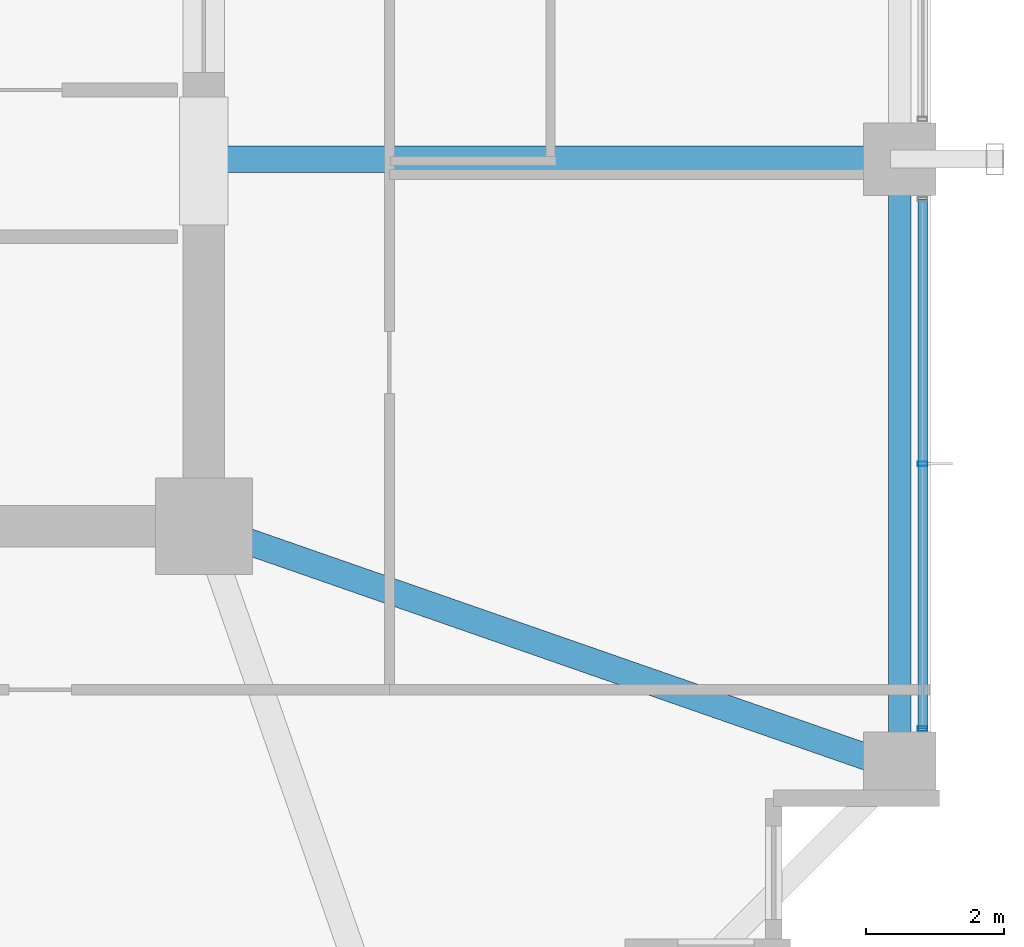
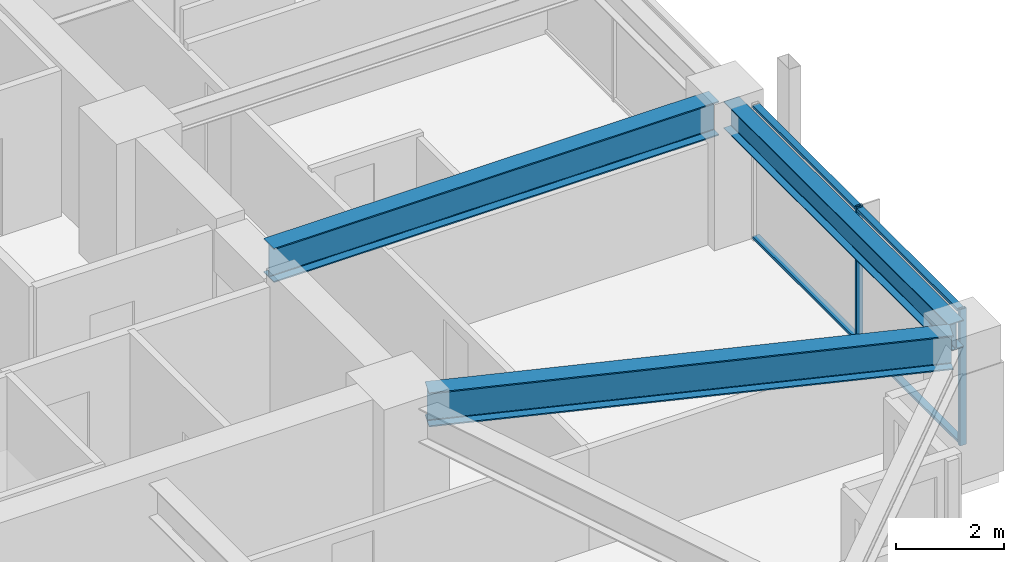
# One storey, part 14 of 38: 4 members, 3 beams, 1 element without a shape of its own.
"""IFC4 building model written with IfcOpenShell, lengths in metres."""

from ifc_helpers import new_model, si_unit, direction, frame, origin, origin_2d, place, context, subcontext, project, spatial, hollow_rectangle, i_section, extrude, material, material_profile, profile_set, type_object, element, aggregate, save


model = new_model("IFC4")

# Units and contexts
model_context = context("Model", 3, precision=1e-05, world=origin(), true_north=direction((0.0, 1.0)))
body_context = subcontext(model_context, "Body", "Model", "MODEL_VIEW")
ifc_project = project(units=[si_unit("LENGTHUNIT", "METRE"), si_unit("AREAUNIT", "SQUARE_METRE"), si_unit("VOLUMEUNIT", "CUBIC_METRE"), si_unit("PLANEANGLEUNIT", "RADIAN"), si_unit("MASSUNIT", "GRAM", prefix="KILO")], contexts=[model_context])

# Site, building, storey
site_placement = place(None, origin())
site = spatial("IfcSite", under=ifc_project, at=site_placement, CompositionType="ELEMENT")
building_placement = place(site_placement, origin())
building = spatial("IfcBuilding", under=site, at=building_placement, Name="Kolvaren Belvedere", CompositionType="ELEMENT")
storey_placement = place(building_placement, frame((0.0, 0.0, 78.800048828125)))
storey = spatial("IfcBuildingStorey", under=building, at=storey_placement, Name="L22", CompositionType="ELEMENT", Elevation=78.800048828125)

# Beams
ifc_material_1 = material(Name="Structural steel ASTM A992 Grade 50", Category="steel")
ifc_material_profile_1 = material_profile(ifc_material_1, i_section(OverallWidth=0.381103515625, OverallDepth=0.77294921875, WebThickness=0.0166015625, FlangeThickness=0.027099609375, FilletRadius=0.02392578125, at=origin_2d()), Name="W30X173")
ifc_profile_set_1 = profile_set([ifc_material_profile_1], Name="Structural steel ASTM A992 Grade 50")
beam_type_1 = type_object("IfcBeamType", Name="BM-GIRD-W30X173", PredefinedType="BEAM", material=ifc_profile_set_1)
beam_1_placement = place(storey_placement, frame((10.199951171875, -4.60009765625, 2.693359375), z_axis=(1.0, 0.0, 0.0), x_axis=(0.0, 1.0, 0.0)))
element("IfcBeam", 1, at=beam_1_placement, inside=storey, type_object=beam_type_1, Name="L22 East Radial Girder M", PredefinedType="BEAM", context=body_context, shape_type="SweptSolid", body=[
    extrude(i_section(OverallWidth=0.381103515625, OverallDepth=0.77294921875, WebThickness=0.0166015625, FlangeThickness=0.027099609375, FilletRadius=0.02392578125, at=origin_2d()), origin(), (0.0, 0.0, 1.0), 9.513916015625),
])
beam_2_placement = place(storey_placement, frame((10.41943359375, -10.080810546875, 2.693359375), z_axis=(0.944371408538, -0.328880894453, 0.0), x_axis=(0.328880894453, 0.944371408538, 0.0)))
element("IfcBeam", 2, at=beam_2_placement, inside=storey, type_object=beam_type_1, Name="L22 Corner Core-to-Perimeter Girder CC2-E1", PredefinedType="BEAM", context=body_context, shape_type="SweptSolid", body=[
    extrude(i_section(OverallWidth=0.381103515625, OverallDepth=0.77294921875, WebThickness=0.0166015625, FlangeThickness=0.027099609375, FilletRadius=0.02392578125, at=origin_2d()), origin(), (0.0, 0.0, 1.0), 9.882080078125),
])
ifc_material_2 = material(Name="Structural steel ASTM A992 Grade 50", Category="steel")
ifc_material_profile_2 = material_profile(ifc_material_2, i_section(OverallWidth=0.324951171875, OverallDepth=0.615966796875, WebThickness=0.013916015625, FlangeThickness=0.021484375, FilletRadius=0.02001953125, at=origin_2d()), Name="W24X117")
ifc_profile_set_2 = profile_set([ifc_material_profile_2], Name="Structural steel ASTM A992 Grade 50")
beam_type_2 = type_object("IfcBeamType", Name="BM-SPAN-W24X117", PredefinedType="SPANDREL", material=ifc_profile_set_2)
beam_3_placement = place(storey_placement, frame((19.949951171875, -13.163818359375, 2.77197265625), z_axis=(0.0, 1.0, 0.0), x_axis=(-1.0, 0.0, 0.0)))
element("IfcBeam", 3, at=beam_3_placement, inside=storey, type_object=beam_type_2, Name="L22 Perimeter Spandrel E1-E2", PredefinedType="SPANDREL", context=body_context, shape_type="SweptSolid", body=[
    extrude(i_section(OverallWidth=0.324951171875, OverallDepth=0.615966796875, WebThickness=0.013916015625, FlangeThickness=0.021484375, FilletRadius=0.02001953125, at=origin_2d()), origin(), (0.0, 0.0, 1.0), 8.32763671875),
])

# Curtain wall, members
ifc_material_3 = material(Name="Anodised pale-metal aluminium AA 6063-T6", Category="aluminium")
curtain_wall_type = type_object("IfcCurtainWallType", Name="CW-Z2-MID", PredefinedType="NOTDEFINED", material=ifc_material_3)
curtain_wall_placement = place(storey_placement, origin())
curtain_wall = element("IfcCurtainWall", 4, at=curtain_wall_placement, inside=storey, type_object=curtain_wall_type, Name="L22 Unitised Curtain Wall FCW-L22-E-B3", PredefinedType="NOTDEFINED")
ifc_material_4 = material(Name="Anodised pale-metal aluminium AA 6063-T6", Category="aluminium")
ifc_material_profile_3 = material_profile(ifc_material_4, hollow_rectangle(XDim=0.06494140625, YDim=0.139892578125, WallThickness=0.00390625, at=origin_2d()), Name="ALU-MUL-140X65")
ifc_profile_set_3 = profile_set([ifc_material_profile_3], Name="Anodised pale-metal aluminium AA 6063-T6")
member_type_1 = type_object("IfcMemberType", Name="CW-MUL-140", PredefinedType="MULLION", material=ifc_profile_set_3)
member_1_placement = place(storey_placement, frame((20.280029296875, -9.0, 0.0), z_axis=(0.0, 0.0, 1.0), x_axis=(0.0, 1.0, 0.0)))
member_1 = element("IfcMember", 5, at=member_1_placement, type_object=member_type_1, Name="FCW-L22-E-B3 Unitised Mullion 2", PredefinedType="MULLION", context=body_context, shape_type="SweptSolid", body=[
    extrude(hollow_rectangle(XDim=0.06494140625, YDim=0.139892578125, WallThickness=0.00390625, at=origin_2d()), origin(), (0.0, 0.0, 1.0), 3.079833984375),
])
member_2_placement = place(storey_placement, frame((20.280029296875, -12.822509765625, 0.0), z_axis=(0.0, 0.0, 1.0), x_axis=(0.0, 1.0, 0.0)))
member_2 = element("IfcMember", 6, at=member_2_placement, type_object=member_type_1, Name="FCW-L22-E-B3 Unitised Mullion 3", PredefinedType="MULLION", context=body_context, shape_type="SweptSolid", body=[
    extrude(hollow_rectangle(XDim=0.06494140625, YDim=0.139892578125, WallThickness=0.00390625, at=origin_2d()), origin(), (0.0, 0.0, 1.0), 3.079833984375),
])
ifc_material_5 = material(Name="Anodised pale-metal aluminium AA 6063-T6", Category="aluminium")
ifc_material_profile_4 = material_profile(ifc_material_5, hollow_rectangle(XDim=0.06005859375, YDim=0.139892578125, WallThickness=0.00390625, at=origin_2d()), Name="ALU-TRN-140X60")
ifc_profile_set_4 = profile_set([ifc_material_profile_4], Name="Anodised pale-metal aluminium AA 6063-T6")
member_type_2 = type_object("IfcMemberType", Name="CW-TRN-140", PredefinedType="USERDEFINED", material=ifc_profile_set_4)
member_3_placement = place(storey_placement, frame((20.280029296875, -5.177490234375, 0.06005859375), z_axis=(0.0, -1.0, 0.0), x_axis=(0.0, 0.0, 1.0)))
member_3 = element("IfcMember", 7, at=member_3_placement, type_object=member_type_2, Name="FCW-L22-E-B3 Sill Transom", ObjectType="TRANSOM", PredefinedType="USERDEFINED", context=body_context, shape_type="SweptSolid", body=[
    extrude(hollow_rectangle(XDim=0.06005859375, YDim=0.139892578125, WallThickness=0.00390625, at=origin_2d()), origin(), (0.0, 0.0, 1.0), 7.64501953125),
])
member_4_placement = place(storey_placement, frame((20.280029296875, -5.177490234375, 3.02001953125), z_axis=(0.0, -1.0, 0.0), x_axis=(0.0, 0.0, 1.0)))
member_4 = element("IfcMember", 8, at=member_4_placement, type_object=member_type_2, Name="FCW-L22-E-B3 Head Transom", ObjectType="TRANSOM", PredefinedType="USERDEFINED", context=body_context, shape_type="SweptSolid", body=[
    extrude(hollow_rectangle(XDim=0.06005859375, YDim=0.139892578125, WallThickness=0.00390625, at=origin_2d()), origin(), (0.0, 0.0, 1.0), 7.64501953125),
])
aggregate(curtain_wall, [member_1, member_2, member_3, member_4])

save(model, "model.ifc")
